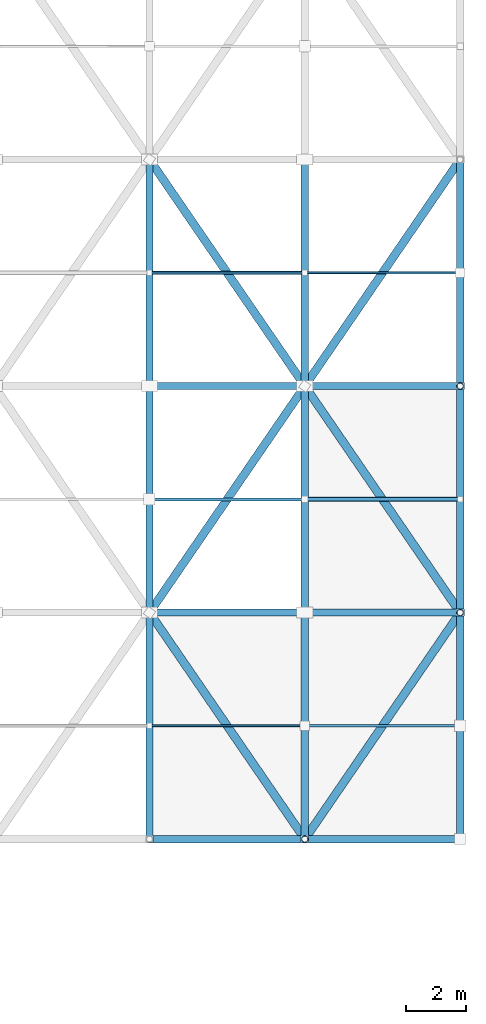
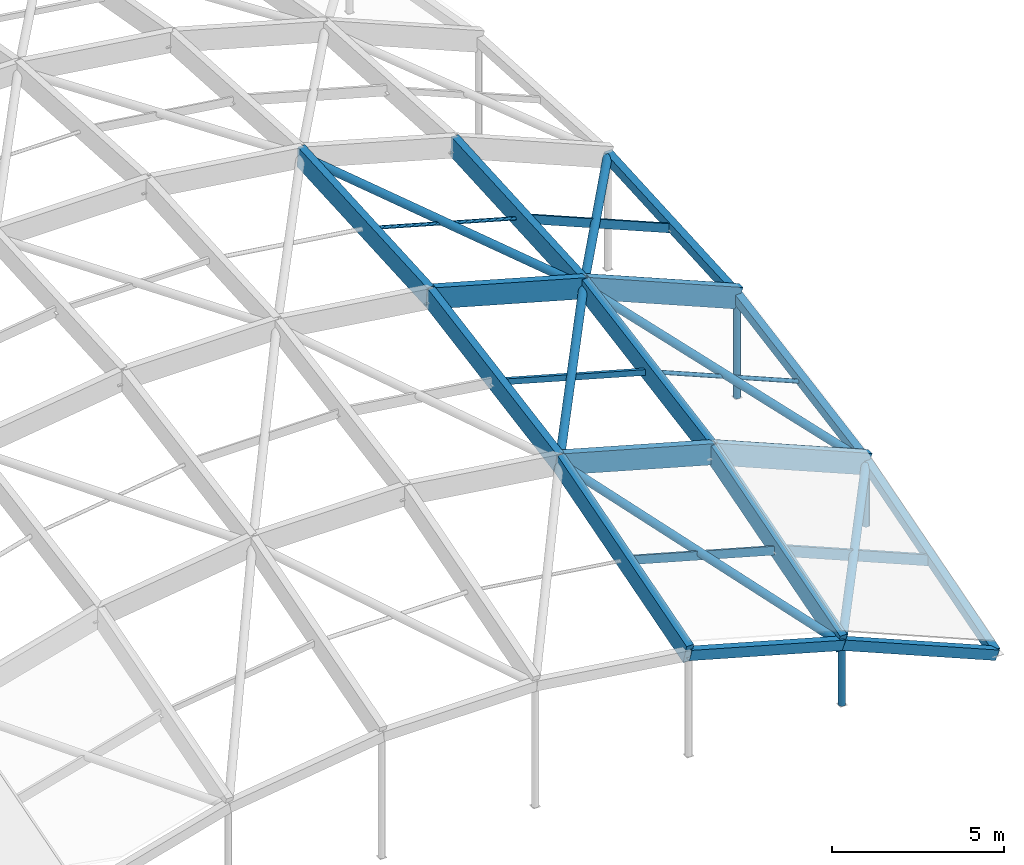
# One storey, part 41 of 81: 30 members.
"""IFC4 building model written with IfcOpenShell, lengths in metres."""

from ifc_helpers import new_model, si_unit, direction, frame, origin, origin_2d, place, context, subcontext, project, spatial, rectangle, hollow_rectangle, hollow_circle, extrude, material, material_profile, profile_set, type_object, element, save


model = new_model("IFC4")

# Units and contexts
model_context = context("Model", 3, precision=1e-05, world=origin(), true_north=direction((0.0, 1.0)))
body_context = subcontext(model_context, "Body", "Model", "MODEL_VIEW")
ifc_project = project(units=[si_unit("LENGTHUNIT", "METRE"), si_unit("AREAUNIT", "SQUARE_METRE"), si_unit("VOLUMEUNIT", "CUBIC_METRE"), si_unit("PLANEANGLEUNIT", "RADIAN"), si_unit("MASSUNIT", "GRAM", prefix="KILO")], contexts=[model_context])

# Site, building, storey
site_placement = place(None, origin())
site = spatial("IfcSite", under=ifc_project, at=site_placement, CompositionType="ELEMENT")
building_placement = place(site_placement, origin())
building = spatial("IfcBuilding", under=site, at=building_placement, Name="Marnridge Secondary College", CompositionType="ELEMENT")
storey_placement = place(building_placement, frame((0.0, 0.0, 8.5)))
storey = spatial("IfcBuildingStorey", under=building, at=storey_placement, Name="L02", CompositionType="ELEMENT", Elevation=8.5)

# Members
ifc_material_1 = material(Name="Cold-formed steel Grade C350L0 (AS/NZS 1163, fy = 350 MPa)", Category="steel")
ifc_material_profile_1 = material_profile(ifc_material_1, hollow_circle(Radius=0.109619140625, WallThickness=0.00830078125, at=origin_2d()), Name="219.1x8.2CHS")
ifc_profile_set_1 = profile_set([ifc_material_profile_1], Name="Cold-formed steel Grade C350L0 (AS/NZS 1163, fy = 350 MPa)")
member_type_1 = type_object("IfcMemberType", Name="MB-GS-CHS219", PredefinedType="BRACE", material=ifc_profile_set_1)
member_1_placement = place(storey_placement, frame((165.857177734375, 75.0, 0.090087890625), z_axis=(0.0, 0.0, 1.0), x_axis=(1.0, 0.0, 0.0)))
element("IfcMember", 1, at=member_1_placement, inside=storey, type_object=member_type_1, Name="Gridshell boundary post GSP-0016", PredefinedType="BRACE", context=body_context, shape_type="SweptSolid", body=[
    extrude(hollow_circle(Radius=0.109619140625, WallThickness=0.00830078125, at=origin_2d()), origin(), (0.0, 0.0, 1.0), 2.18505859375),
])
member_2_placement = place(storey_placement, frame((171.0, 82.5, 0.090087890625), z_axis=(0.0, 0.0, 1.0), x_axis=(1.0, 0.0, 0.0)))
element("IfcMember", 2, at=member_2_placement, inside=storey, type_object=member_type_1, Name="Gridshell boundary post GSP-0018", PredefinedType="BRACE", context=body_context, shape_type="SweptSolid", body=[
    extrude(hollow_circle(Radius=0.109619140625, WallThickness=0.00830078125, at=origin_2d()), origin(), (0.0, 0.0, 1.0), 2.252197265625),
])
member_3_placement = place(storey_placement, frame((171.0, 90.0, 0.090087890625), z_axis=(0.0, 0.0, 1.0), x_axis=(1.0, 0.0, 0.0)))
element("IfcMember", 3, at=member_3_placement, inside=storey, type_object=member_type_1, Name="Gridshell boundary post GSP-0019", PredefinedType="BRACE", context=body_context, shape_type="SweptSolid", body=[
    extrude(hollow_circle(Radius=0.109619140625, WallThickness=0.00830078125, at=origin_2d()), origin(), (0.0, 0.0, 1.0), 3.58544921875),
])
ifc_material_2 = material(Name="Cold-formed steel Grade C350L0 (AS/NZS 1163, fy = 350 MPa)", Category="steel")
ifc_material_profile_2 = material_profile(ifc_material_2, hollow_circle(Radius=0.136474609375, WallThickness=0.00927734375, at=origin_2d()), Name="273.1x9.3CHS")
ifc_profile_set_2 = profile_set([ifc_material_profile_2], Name="Cold-formed steel Grade C350L0 (AS/NZS 1163, fy = 350 MPa)")
member_type_2 = type_object("IfcMemberType", Name="MB-GS-CHS273", PredefinedType="BRACE", material=ifc_profile_set_2)
member_4_placement = place(storey_placement, frame((165.857177734375, 75.0, 2.255126953125), z_axis=(-0.524650977218, 0.765121197253, 0.37327055284), x_axis=(-0.824730640628, -0.565525746902, 0.0)))
element("IfcMember", 4, at=member_4_placement, inside=storey, type_object=member_type_2, Name="Gridshell member GR-0128", PredefinedType="BRACE", context=body_context, shape_type="SweptSolid", body=[
    extrude(hollow_circle(Radius=0.136474609375, WallThickness=0.00927734375, at=origin_2d()), origin(), (0.0, 0.0, 1.0), 9.802490234375),
])
member_5_placement = place(storey_placement, frame((160.71435546875, 82.5, 5.9140625), z_axis=(0.565489284695, 0.824677466215, -0.011355422142), x_axis=(-0.824730640628, 0.565525746902, 0.0)))
element("IfcMember", 5, at=member_5_placement, inside=storey, type_object=member_type_2, Name="Gridshell member GR-0129", PredefinedType="BRACE", context=body_context, shape_type="SweptSolid", body=[
    extrude(hollow_circle(Radius=0.136474609375, WallThickness=0.00927734375, at=origin_2d()), origin(), (0.0, 0.0, 1.0), 9.094482421875),
])
member_6_placement = place(storey_placement, frame((165.857177734375, 90.0, 5.810791015625), z_axis=(-0.553801674048, 0.807632918432, 0.20256548296), x_axis=(-0.824730640628, -0.565525746902, 0.0)))
element("IfcMember", 6, at=member_6_placement, inside=storey, type_object=member_type_2, Name="Gridshell member GR-0130", PredefinedType="BRACE", context=body_context, shape_type="SweptSolid", body=[
    extrude(hollow_circle(Radius=0.136474609375, WallThickness=0.00927734375, at=origin_2d()), origin(), (0.0, 0.0, 1.0), 9.286376953125),
])
member_7_placement = place(storey_placement, frame((165.857177734375, 75.0, 2.255126953125), z_axis=(0.565510335156, 0.824708165012, 0.007382641451), x_axis=(-0.824730640628, 0.565525746902, 0.0)))
element("IfcMember", 7, at=member_7_placement, inside=storey, type_object=member_type_2, Name="Gridshell member GR-0134", PredefinedType="BRACE", context=body_context, shape_type="SweptSolid", body=[
    extrude(hollow_circle(Radius=0.136474609375, WallThickness=0.00927734375, at=origin_2d()), origin(), (0.0, 0.0, 1.0), 9.09423828125),
])
member_8_placement = place(storey_placement, frame((171.0, 82.5, 2.322265625), z_axis=(-0.52800818906, 0.770017164392, 0.358163257227), x_axis=(-0.824730640628, -0.565525746902, 0.0)))
element("IfcMember", 8, at=member_8_placement, inside=storey, type_object=member_type_2, Name="Gridshell member GR-0135", PredefinedType="BRACE", context=body_context, shape_type="SweptSolid", body=[
    extrude(hollow_circle(Radius=0.136474609375, WallThickness=0.00927734375, at=origin_2d()), origin(), (0.0, 0.0, 1.0), 9.739990234375),
])
member_9_placement = place(storey_placement, frame((165.857177734375, 90.0, 5.810791015625), z_axis=(0.555777535128, 0.810514402047, -0.184872214035), x_axis=(-0.824730640628, 0.565525746902, 0.0)))
element("IfcMember", 9, at=member_9_placement, inside=storey, type_object=member_type_2, Name="Gridshell member GR-0136", PredefinedType="BRACE", context=body_context, shape_type="SweptSolid", body=[
    extrude(hollow_circle(Radius=0.136474609375, WallThickness=0.00927734375, at=origin_2d()), origin(), (0.0, 0.0, 1.0), 9.25341796875),
])
ifc_material_3 = material(Name="Glulam timber GL18", Category="wood")
ifc_material_profile_3 = material_profile(ifc_material_3, rectangle(XDim=0.239990234375, YDim=0.719970703125, at=origin_2d()), Name="GL18 240x720")
ifc_profile_set_3 = profile_set([ifc_material_profile_3], Name="Glulam timber GL18")
member_type_3 = type_object("IfcMemberType", Name="MB-GS-GL720", PredefinedType="CHORD", material=ifc_profile_set_3)
member_10_placement = place(storey_placement, frame((160.71435546875, 75.0, 3.69189453125), z_axis=(0.0, 0.958800001874, 0.28408195368), x_axis=(-1.0, 0.0, 0.0)))
element("IfcMember", 10, at=member_10_placement, inside=storey, type_object=member_type_3, Name="Gridshell member GR-0031", PredefinedType="CHORD", context=body_context, shape_type="SweptSolid", body=[
    extrude(rectangle(XDim=0.239990234375, YDim=0.719970703125, at=origin_2d()), origin(), (0.0, 0.0, 1.0), 7.822265625),
])
member_11_placement = place(storey_placement, frame((160.71435546875, 82.5, 5.9140625), z_axis=(0.0, 0.984564348782, 0.175022978799), x_axis=(-1.0, 0.0, 0.0)))
element("IfcMember", 11, at=member_11_placement, inside=storey, type_object=member_type_3, Name="Gridshell member GR-0032", PredefinedType="CHORD", context=body_context, shape_type="SweptSolid", body=[
    extrude(rectangle(XDim=0.239990234375, YDim=0.719970703125, at=origin_2d()), origin(), (0.0, 0.0, 1.0), 7.61767578125),
])
member_12_placement = place(storey_placement, frame((160.71435546875, 90.0, 7.247314453125), z_axis=(0.0, 0.998247714799, 0.059173472938), x_axis=(-1.0, 0.0, 0.0)))
element("IfcMember", 12, at=member_12_placement, inside=storey, type_object=member_type_3, Name="Gridshell member GR-0033", PredefinedType="CHORD", context=body_context, shape_type="SweptSolid", body=[
    extrude(rectangle(XDim=0.239990234375, YDim=0.719970703125, at=origin_2d()), origin(), (0.0, 0.0, 1.0), 7.51318359375),
])
member_13_placement = place(storey_placement, frame((165.857177734375, 75.0, 2.255126953125), z_axis=(0.0, 0.958800001874, 0.28408195368), x_axis=(-1.0, 0.0, 0.0)))
element("IfcMember", 13, at=member_13_placement, inside=storey, type_object=member_type_3, Name="Gridshell member GR-0037", PredefinedType="CHORD", context=body_context, shape_type="SweptSolid", body=[
    extrude(rectangle(XDim=0.239990234375, YDim=0.719970703125, at=origin_2d()), origin(), (0.0, 0.0, 1.0), 7.822265625),
])
member_14_placement = place(storey_placement, frame((165.857177734375, 82.5, 4.477294921875), z_axis=(0.0, 0.984558825488, 0.175054046381), x_axis=(-1.0, 0.0, 0.0)))
element("IfcMember", 14, at=member_14_placement, inside=storey, type_object=member_type_3, Name="Gridshell member GR-0038", PredefinedType="CHORD", context=body_context, shape_type="SweptSolid", body=[
    extrude(rectangle(XDim=0.239990234375, YDim=0.719970703125, at=origin_2d()), origin(), (0.0, 0.0, 1.0), 7.61767578125),
])
member_15_placement = place(storey_placement, frame((165.857177734375, 90.0, 5.810791015625), z_axis=(0.0, 0.998249633752, 0.059141091583), x_axis=(-1.0, 0.0, 0.0)))
element("IfcMember", 15, at=member_15_placement, inside=storey, type_object=member_type_3, Name="Gridshell member GR-0039", PredefinedType="CHORD", context=body_context, shape_type="SweptSolid", body=[
    extrude(rectangle(XDim=0.239990234375, YDim=0.719970703125, at=origin_2d()), origin(), (0.0, 0.0, 1.0), 7.51318359375),
])
member_16_placement = place(storey_placement, frame((160.71435546875, 82.5, 5.9140625), z_axis=(0.963120557911, 0.0, -0.269070234194), x_axis=(0.0, 1.0, 0.0)))
element("IfcMember", 16, at=member_16_placement, inside=storey, type_object=member_type_3, Name="Gridshell member GR-0061", PredefinedType="CHORD", context=body_context, shape_type="SweptSolid", body=[
    extrude(rectangle(XDim=0.239990234375, YDim=0.719970703125, at=origin_2d()), origin(), (0.0, 0.0, 1.0), 5.33984375),
])
member_17_placement = place(storey_placement, frame((165.857177734375, 82.5, 4.477294921875), z_axis=(0.922299118379, 0.0, -0.386476824967), x_axis=(0.0, 1.0, 0.0)))
element("IfcMember", 17, at=member_17_placement, inside=storey, type_object=member_type_3, Name="Gridshell member GR-0062", PredefinedType="CHORD", context=body_context, shape_type="SweptSolid", body=[
    extrude(rectangle(XDim=0.239990234375, YDim=0.719970703125, at=origin_2d()), origin(), (0.0, 0.0, 1.0), 5.576171875),
])
member_18_placement = place(storey_placement, frame((160.71435546875, 90.0, 7.247314453125), z_axis=(0.963132405681, 0.0, -0.269027822218), x_axis=(0.0, 1.0, 0.0)))
element("IfcMember", 18, at=member_18_placement, inside=storey, type_object=member_type_3, Name="Gridshell member GR-0068", PredefinedType="CHORD", context=body_context, shape_type="SweptSolid", body=[
    extrude(rectangle(XDim=0.239990234375, YDim=0.719970703125, at=origin_2d()), origin(), (0.0, 0.0, 1.0), 5.339599609375),
])
member_19_placement = place(storey_placement, frame((165.857177734375, 90.0, 5.810791015625), z_axis=(0.922283511389, 0.0, -0.386514067816), x_axis=(0.0, 1.0, 0.0)))
element("IfcMember", 19, at=member_19_placement, inside=storey, type_object=member_type_3, Name="Gridshell member GR-0069", PredefinedType="CHORD", context=body_context, shape_type="SweptSolid", body=[
    extrude(rectangle(XDim=0.239990234375, YDim=0.719970703125, at=origin_2d()), origin(), (0.0, 0.0, 1.0), 5.576171875),
])
ifc_material_4 = material(Name="Cold-formed steel Grade C350L0 (AS/NZS 1163, fy = 350 MPa)", Category="steel")
ifc_material_profile_4 = material_profile(ifc_material_4, hollow_rectangle(XDim=0.25, YDim=0.35009765625, WallThickness=0.010009765625, at=origin_2d()), Name="350x250x10.0RHS")
ifc_profile_set_4 = profile_set([ifc_material_profile_4], Name="Cold-formed steel Grade C350L0 (AS/NZS 1163, fy = 350 MPa)")
member_type_4 = type_object("IfcMemberType", Name="MB-GS-RHS350", PredefinedType="CHORD", material=ifc_profile_set_4)
member_20_placement = place(storey_placement, frame((171.0, 75.0, 0.10009765625), z_axis=(0.0, 0.958800001874, 0.28408195368), x_axis=(-1.0, 0.0, 0.0)))
element("IfcMember", 20, at=member_20_placement, inside=storey, type_object=member_type_4, Name="Gridshell member GR-0043", PredefinedType="CHORD", context=body_context, shape_type="SweptSolid", body=[
    extrude(hollow_rectangle(XDim=0.25, YDim=0.35009765625, WallThickness=0.010009765625, at=origin_2d()), origin(), (0.0, 0.0, 1.0), 7.822265625),
])
member_21_placement = place(storey_placement, frame((171.0, 82.5, 2.322265625), z_axis=(0.0, 0.984564348782, 0.175022978799), x_axis=(-1.0, 0.0, 0.0)))
element("IfcMember", 21, at=member_21_placement, inside=storey, type_object=member_type_4, Name="Gridshell member GR-0044", PredefinedType="CHORD", context=body_context, shape_type="SweptSolid", body=[
    extrude(hollow_rectangle(XDim=0.25, YDim=0.35009765625, WallThickness=0.010009765625, at=origin_2d()), origin(), (0.0, 0.0, 1.0), 7.61767578125),
])
member_22_placement = place(storey_placement, frame((171.0, 90.0, 3.655517578125), z_axis=(0.0, 0.998247714799, 0.059173472938), x_axis=(-1.0, 0.0, 0.0)))
element("IfcMember", 22, at=member_22_placement, inside=storey, type_object=member_type_4, Name="Gridshell member GR-0045", PredefinedType="CHORD", context=body_context, shape_type="SweptSolid", body=[
    extrude(hollow_rectangle(XDim=0.25, YDim=0.35009765625, WallThickness=0.010009765625, at=origin_2d()), origin(), (0.0, 0.0, 1.0), 7.51318359375),
])
member_23_placement = place(storey_placement, frame((160.71435546875, 75.0, 3.69189453125), z_axis=(0.963120557911, 0.0, -0.269070234194), x_axis=(0.0, 1.0, 0.0)))
element("IfcMember", 23, at=member_23_placement, inside=storey, type_object=member_type_4, Name="Gridshell member GR-0054", PredefinedType="CHORD", context=body_context, shape_type="SweptSolid", body=[
    extrude(hollow_rectangle(XDim=0.25, YDim=0.35009765625, WallThickness=0.010009765625, at=origin_2d()), origin(), (0.0, 0.0, 1.0), 5.33984375),
])
member_24_placement = place(storey_placement, frame((165.857177734375, 75.0, 2.255126953125), z_axis=(0.922299118379, 0.0, -0.386476824967), x_axis=(0.0, 1.0, 0.0)))
element("IfcMember", 24, at=member_24_placement, inside=storey, type_object=member_type_4, Name="Gridshell member GR-0055", PredefinedType="CHORD", context=body_context, shape_type="SweptSolid", body=[
    extrude(hollow_rectangle(XDim=0.25, YDim=0.35009765625, WallThickness=0.010009765625, at=origin_2d()), origin(), (0.0, 0.0, 1.0), 5.576171875),
])
ifc_material_5 = material(Name="Cold-formed steel Grade C350L0 (AS/NZS 1163, fy = 350 MPa)", Category="steel")
ifc_material_profile_5 = material_profile(ifc_material_5, hollow_circle(Radius=0.05712890625, WallThickness=0.00439453125, at=origin_2d()), Name="114.3x4.5CHS")
ifc_profile_set_5 = profile_set([ifc_material_profile_5], Name="Cold-formed steel Grade C350L0 (AS/NZS 1163, fy = 350 MPa)")
member_type_5 = type_object("IfcMemberType", Name="MB-PR-CHS114", PredefinedType="PURLIN", material=ifc_profile_set_5)
member_25_placement = place(storey_placement, frame((160.71435546875, 93.75, 7.3896484375), z_axis=(0.963120557911, 0.0, -0.269070234194), x_axis=(0.0, 1.0, 0.0)))
element("IfcMember", 25, at=member_25_placement, inside=storey, type_object=member_type_5, Name="Gridshell purlin PR-0055", PredefinedType="PURLIN", context=body_context, shape_type="SweptSolid", body=[
    extrude(hollow_circle(Radius=0.05712890625, WallThickness=0.00439453125, at=origin_2d()), origin(), (0.0, 0.0, 1.0), 5.33984375),
])
ifc_material_6 = material(Name="Cold-formed steel Grade C350L0 (AS/NZS 1163, fy = 350 MPa)", Category="steel")
ifc_material_profile_6 = material_profile(ifc_material_6, hollow_circle(Radius=0.06982421875, WallThickness=0.00537109375, at=origin_2d()), Name="139.7x5.4CHS")
ifc_profile_set_6 = profile_set([ifc_material_profile_6], Name="Cold-formed steel Grade C350L0 (AS/NZS 1163, fy = 350 MPa)")
member_type_6 = type_object("IfcMemberType", Name="MB-PR-CHS139", PredefinedType="PURLIN", material=ifc_profile_set_6)
member_26_placement = place(storey_placement, frame((165.857177734375, 86.25, 5.06396484375), z_axis=(0.922299118379, 0.0, -0.386476824967), x_axis=(0.0, 1.0, 0.0)))
element("IfcMember", 26, at=member_26_placement, inside=storey, type_object=member_type_6, Name="Gridshell purlin PR-0060", PredefinedType="PURLIN", context=body_context, shape_type="SweptSolid", body=[
    extrude(hollow_circle(Radius=0.06982421875, WallThickness=0.00537109375, at=origin_2d()), origin(), (0.0, 0.0, 1.0), 5.576171875),
])
ifc_material_7 = material(Name="Engineered timber LVL E13.2", Category="wood")
ifc_material_profile_7 = material_profile(ifc_material_7, rectangle(XDim=0.06298828125, YDim=0.300048828125, at=origin_2d()), Name="LVL 63x300")
ifc_profile_set_7 = profile_set([ifc_material_profile_7], Name="Engineered timber LVL E13.2")
member_type_7 = type_object("IfcMemberType", Name="MB-PR-LVL300", PredefinedType="PURLIN", material=ifc_profile_set_7)
member_27_placement = place(storey_placement, frame((160.71435546875, 78.75, 4.722900390625), z_axis=(0.963120557911, 0.0, -0.269070234194), x_axis=(0.0, 1.0, 0.0)))
element("IfcMember", 27, at=member_27_placement, inside=storey, type_object=member_type_7, Name="Gridshell purlin PR-0053", PredefinedType="PURLIN", context=body_context, shape_type="SweptSolid", body=[
    extrude(rectangle(XDim=0.06298828125, YDim=0.300048828125, at=origin_2d()), origin(), (0.0, 0.0, 1.0), 5.33984375),
])
member_28_placement = place(storey_placement, frame((165.857177734375, 93.75, 5.952880859375), z_axis=(0.922299118379, 0.0, -0.386476824967), x_axis=(0.0, 1.0, 0.0)))
element("IfcMember", 28, at=member_28_placement, inside=storey, type_object=member_type_7, Name="Gridshell purlin PR-0061", PredefinedType="PURLIN", context=body_context, shape_type="SweptSolid", body=[
    extrude(rectangle(XDim=0.06298828125, YDim=0.300048828125, at=origin_2d()), origin(), (0.0, 0.0, 1.0), 5.576171875),
])
ifc_material_8 = material(Name="Engineered timber LVL E13.2", Category="wood")
ifc_material_profile_8 = material_profile(ifc_material_8, rectangle(XDim=0.090087890625, YDim=0.360107421875, at=origin_2d()), Name="LVL 90x360")
ifc_profile_set_8 = profile_set([ifc_material_profile_8], Name="Engineered timber LVL E13.2")
member_type_8 = type_object("IfcMemberType", Name="MB-PR-LVL360", PredefinedType="PURLIN", material=ifc_profile_set_8)
member_29_placement = place(storey_placement, frame((165.857177734375, 78.75, 3.2861328125), z_axis=(0.922299118379, 0.0, -0.386476824967), x_axis=(0.0, 1.0, 0.0)))
element("IfcMember", 29, at=member_29_placement, inside=storey, type_object=member_type_8, Name="Gridshell purlin PR-0059", PredefinedType="PURLIN", context=body_context, shape_type="SweptSolid", body=[
    extrude(rectangle(XDim=0.090087890625, YDim=0.360107421875, at=origin_2d()), origin(), (0.0, 0.0, 1.0), 5.576171875),
])
ifc_material_9 = material(Name="Cold-formed steel Grade C350L0 (AS/NZS 1163, fy = 350 MPa)", Category="steel")
ifc_material_profile_9 = material_profile(ifc_material_9, hollow_rectangle(XDim=0.10009765625, YDim=0.199951171875, WallThickness=0.006103515625, at=origin_2d()), Name="200x100x6.0RHS")
ifc_profile_set_9 = profile_set([ifc_material_profile_9], Name="Cold-formed steel Grade C350L0 (AS/NZS 1163, fy = 350 MPa)")
member_type_9 = type_object("IfcMemberType", Name="MB-PR-RHS200", PredefinedType="PURLIN", material=ifc_profile_set_9)
member_30_placement = place(storey_placement, frame((160.71435546875, 86.25, 6.500732421875), z_axis=(0.963120557911, 0.0, -0.269070234194), x_axis=(0.0, 1.0, 0.0)))
element("IfcMember", 30, at=member_30_placement, inside=storey, type_object=member_type_9, Name="Gridshell purlin PR-0054", PredefinedType="PURLIN", context=body_context, shape_type="SweptSolid", body=[
    extrude(hollow_rectangle(XDim=0.10009765625, YDim=0.199951171875, WallThickness=0.006103515625, at=origin_2d()), origin(), (0.0, 0.0, 1.0), 5.33984375),
])

save(model, "model.ifc")
